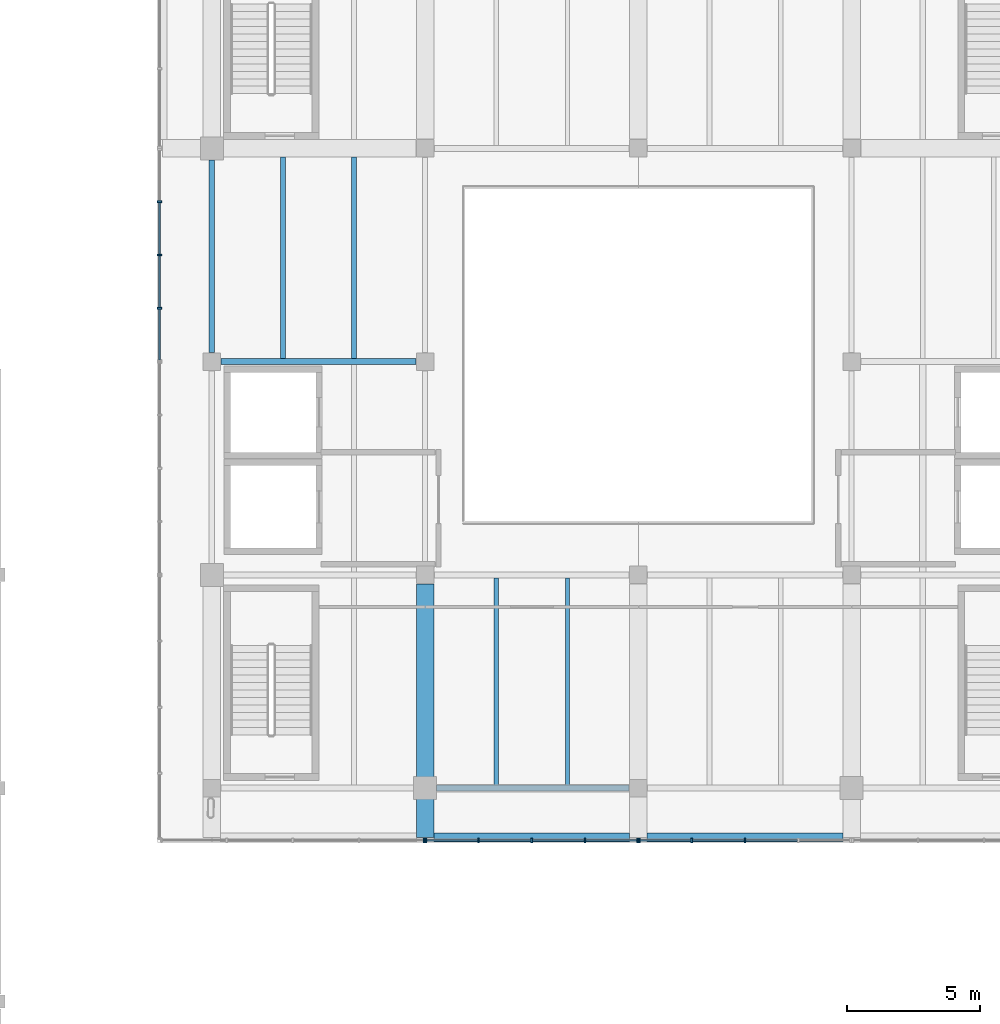
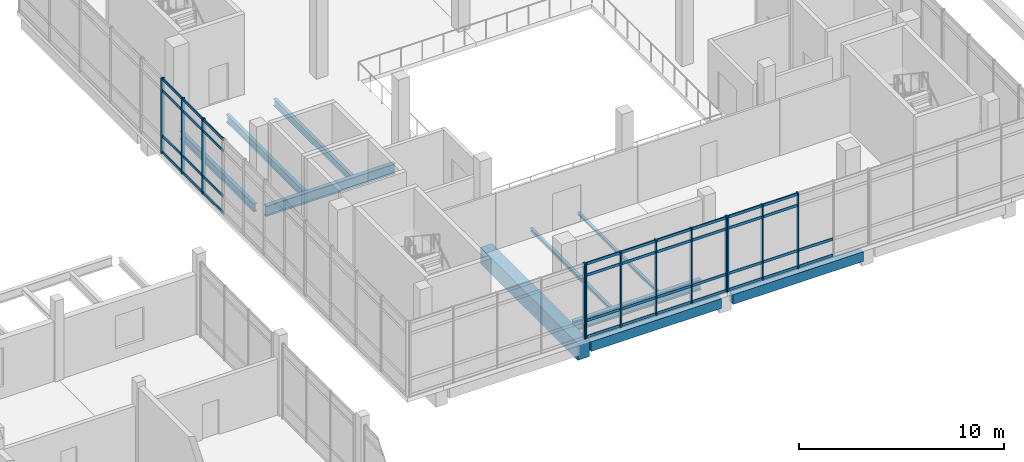
# One storey, part 6 of 28: 50 members, 10 beams, 4 elements without a shape of their own.
"""IFC4 building model written with IfcOpenShell, lengths in metres."""

from ifc_helpers import new_model, si_unit, direction, frame, origin, origin_2d, place, context, subcontext, project, spatial, rectangle, i_section, extrude, material, material_profile, profile_set, type_object, element, aggregate, save


model = new_model("IFC4")

# Units and contexts
model_context = context("Model", 3, precision=1e-05, world=origin(), true_north=direction((0.0, 1.0)))
body_context = subcontext(model_context, "Body", "Model", "MODEL_VIEW")
ifc_project = project(units=[si_unit("LENGTHUNIT", "METRE"), si_unit("AREAUNIT", "SQUARE_METRE"), si_unit("VOLUMEUNIT", "CUBIC_METRE"), si_unit("PLANEANGLEUNIT", "RADIAN"), si_unit("MASSUNIT", "GRAM", prefix="KILO")], contexts=[model_context])

# Site, building, storey
site_placement = place(None, origin())
site = spatial("IfcSite", under=ifc_project, at=site_placement, CompositionType="ELEMENT")
building_placement = place(site_placement, origin())
building = spatial("IfcBuilding", under=site, at=building_placement, Name="Pecanmere Concourse Central Library", CompositionType="ELEMENT")
storey_placement = place(building_placement, frame((0.0, 0.0, 20.10009765625)))
storey = spatial("IfcBuildingStorey", under=building, at=storey_placement, Name="L05", CompositionType="ELEMENT", Elevation=20.10009765625)

# Curtain wall, member
ifc_material_1 = material(Name="Anodized bronze aluminium alloy 6063-T6", Category="aluminium")
curtain_wall_type = type_object("IfcCurtainWallType", Name="CW_PLUMB_BANDED", PredefinedType="USERDEFINED", material=ifc_material_1)
curtain_wall_1_placement = place(storey_placement, origin())
curtain_wall_1 = element("IfcCurtainWall", 1, at=curtain_wall_1_placement, inside=storey, type_object=curtain_wall_type, Name="Unitised Curtain Wall CW-02 L05-058", ObjectType="UNITISED CURTAIN WALL", PredefinedType="USERDEFINED")
ifc_material_2 = material(Name="Anodized bronze aluminium alloy 6063-T6", Category="aluminium")
ifc_material_profile_1 = material_profile(ifc_material_2, rectangle(XDim=0.06494140625, YDim=0.179931640625, at=origin_2d()), Name="AL 65x180")
ifc_profile_set_1 = profile_set([ifc_material_profile_1], Name="Anodized bronze aluminium alloy 6063-T6")
member_type_1 = type_object("IfcMemberType", Name="CWM_180x65", PredefinedType="MULLION", material=ifc_profile_set_1)
member_1_placement = place(storey_placement, frame((79.96240234375, 88.03857421875, 0.0), z_axis=(0.0, 0.0, 1.0), x_axis=(1.0, 0.0, 0.0)))
member_1 = element("IfcMember", 2, at=member_1_placement, type_object=member_type_1, Name="CW-02 Mullion 5", PredefinedType="MULLION", context=body_context, shape_type="SweptSolid", body=[
    extrude(rectangle(XDim=0.06494140625, YDim=0.179931640625, at=origin_2d()), origin(), (0.0, 0.0, 1.0), 4.5),
])
aggregate(curtain_wall_1, [member_1])

# Curtain wall, members
curtain_wall_2_placement = place(storey_placement, origin())
curtain_wall_2 = element("IfcCurtainWall", 3, at=curtain_wall_2_placement, inside=storey, type_object=curtain_wall_type, Name="Unitised Curtain Wall CW-02 L05-059", ObjectType="UNITISED CURTAIN WALL", PredefinedType="USERDEFINED")
member_2_placement = place(storey_placement, frame((80.03759765625, 88.03857421875, 0.0), z_axis=(0.0, 0.0, 1.0), x_axis=(1.0, 0.0, 0.0)))
member_2 = element("IfcMember", 4, at=member_2_placement, type_object=member_type_1, Name="CW-02 Mullion 1", PredefinedType="MULLION", context=body_context, shape_type="SweptSolid", body=[
    extrude(rectangle(XDim=0.06494140625, YDim=0.179931640625, at=origin_2d()), origin(), (0.0, 0.0, 1.0), 4.5),
])
member_3_placement = place(storey_placement, frame((82.00244140625, 88.03857421875, 0.0), z_axis=(0.0, 0.0, 1.0), x_axis=(1.0, 0.0, 0.0)))
member_3 = element("IfcMember", 5, at=member_3_placement, type_object=member_type_1, Name="CW-02 Mullion 2", PredefinedType="MULLION", context=body_context, shape_type="SweptSolid", body=[
    extrude(rectangle(XDim=0.06494140625, YDim=0.179931640625, at=origin_2d()), origin(), (0.0, 0.0, 1.0), 4.5),
])
member_4_placement = place(storey_placement, frame((84.0, 88.03857421875, 0.0), z_axis=(0.0, 0.0, 1.0), x_axis=(1.0, 0.0, 0.0)))
member_4 = element("IfcMember", 6, at=member_4_placement, type_object=member_type_1, Name="CW-02 Mullion 3", PredefinedType="MULLION", context=body_context, shape_type="SweptSolid", body=[
    extrude(rectangle(XDim=0.06494140625, YDim=0.179931640625, at=origin_2d()), origin(), (0.0, 0.0, 1.0), 4.5),
])
member_5_placement = place(storey_placement, frame((85.99755859375, 88.03857421875, 0.0), z_axis=(0.0, 0.0, 1.0), x_axis=(1.0, 0.0, 0.0)))
member_5 = element("IfcMember", 7, at=member_5_placement, type_object=member_type_1, Name="CW-02 Mullion 4", PredefinedType="MULLION", context=body_context, shape_type="SweptSolid", body=[
    extrude(rectangle(XDim=0.06494140625, YDim=0.179931640625, at=origin_2d()), origin(), (0.0, 0.0, 1.0), 4.5),
])
member_6_placement = place(storey_placement, frame((87.96240234375, 88.03857421875, 0.0), z_axis=(0.0, 0.0, 1.0), x_axis=(1.0, 0.0, 0.0)))
member_6 = element("IfcMember", 8, at=member_6_placement, type_object=member_type_1, Name="CW-02 Mullion 5", PredefinedType="MULLION", context=body_context, shape_type="SweptSolid", body=[
    extrude(rectangle(XDim=0.06494140625, YDim=0.179931640625, at=origin_2d()), origin(), (0.0, 0.0, 1.0), 4.5),
])

curtain_wall_3_placement = place(storey_placement, origin())
curtain_wall_3 = element("IfcCurtainWall", 9, at=curtain_wall_3_placement, inside=storey, type_object=curtain_wall_type, Name="Unitised Curtain Wall CW-02 L05-060", ObjectType="UNITISED CURTAIN WALL", PredefinedType="USERDEFINED")
member_7_placement = place(storey_placement, frame((88.03759765625, 88.03857421875, 0.0), z_axis=(0.0, 0.0, 1.0), x_axis=(1.0, 0.0, 0.0)))
member_7 = element("IfcMember", 10, at=member_7_placement, type_object=member_type_1, Name="CW-02 Mullion 1", PredefinedType="MULLION", context=body_context, shape_type="SweptSolid", body=[
    extrude(rectangle(XDim=0.06494140625, YDim=0.179931640625, at=origin_2d()), origin(), (0.0, 0.0, 1.0), 4.5),
])
member_8_placement = place(storey_placement, frame((90.00244140625, 88.03857421875, 0.0), z_axis=(0.0, 0.0, 1.0), x_axis=(1.0, 0.0, 0.0)))
member_8 = element("IfcMember", 11, at=member_8_placement, type_object=member_type_1, Name="CW-02 Mullion 2", PredefinedType="MULLION", context=body_context, shape_type="SweptSolid", body=[
    extrude(rectangle(XDim=0.06494140625, YDim=0.179931640625, at=origin_2d()), origin(), (0.0, 0.0, 1.0), 4.5),
])
member_9_placement = place(storey_placement, frame((92.0, 88.03857421875, 0.0), z_axis=(0.0, 0.0, 1.0), x_axis=(1.0, 0.0, 0.0)))
member_9 = element("IfcMember", 12, at=member_9_placement, type_object=member_type_1, Name="CW-02 Mullion 3", PredefinedType="MULLION", context=body_context, shape_type="SweptSolid", body=[
    extrude(rectangle(XDim=0.06494140625, YDim=0.179931640625, at=origin_2d()), origin(), (0.0, 0.0, 1.0), 4.5),
])

curtain_wall_4_placement = place(storey_placement, origin())
curtain_wall_4 = element("IfcCurtainWall", 13, at=curtain_wall_4_placement, inside=storey, type_object=curtain_wall_type, Name="Unitised Curtain Wall CW-02 L05-067", ObjectType="UNITISED CURTAIN WALL", PredefinedType="USERDEFINED")
member_10_placement = place(storey_placement, frame((70.03857421875, 111.99755859375, 0.0), z_axis=(0.0, 0.0, 1.0), x_axis=(0.0, -1.0, 0.0)))
member_10 = element("IfcMember", 14, at=member_10_placement, type_object=member_type_1, Name="CW-02 Mullion 2", PredefinedType="MULLION", context=body_context, shape_type="SweptSolid", body=[
    extrude(rectangle(XDim=0.06494140625, YDim=0.179931640625, at=origin_2d()), origin(), (0.0, 0.0, 1.0), 4.5),
])
member_11_placement = place(storey_placement, frame((70.03857421875, 110.0, 0.0), z_axis=(0.0, 0.0, 1.0), x_axis=(0.0, -1.0, 0.0)))
member_11 = element("IfcMember", 15, at=member_11_placement, type_object=member_type_1, Name="CW-02 Mullion 3", PredefinedType="MULLION", context=body_context, shape_type="SweptSolid", body=[
    extrude(rectangle(XDim=0.06494140625, YDim=0.179931640625, at=origin_2d()), origin(), (0.0, 0.0, 1.0), 4.5),
])
member_12_placement = place(storey_placement, frame((70.03857421875, 108.00244140625, 0.0), z_axis=(0.0, 0.0, 1.0), x_axis=(0.0, -1.0, 0.0)))
member_12 = element("IfcMember", 16, at=member_12_placement, type_object=member_type_1, Name="CW-02 Mullion 4", PredefinedType="MULLION", context=body_context, shape_type="SweptSolid", body=[
    extrude(rectangle(XDim=0.06494140625, YDim=0.179931640625, at=origin_2d()), origin(), (0.0, 0.0, 1.0), 4.5),
])

# Member
ifc_material_3 = material(Name="Anodized bronze aluminium alloy 6063-T6", Category="aluminium")
ifc_material_profile_2 = material_profile(ifc_material_3, rectangle(XDim=0.06005859375, YDim=0.159912109375, at=origin_2d()), Name="AL 60x160")
ifc_profile_set_2 = profile_set([ifc_material_profile_2], Name="Anodized bronze aluminium alloy 6063-T6")
member_type_2 = type_object("IfcMemberType", Name="CWT_160x60", PredefinedType="USERDEFINED", material=ifc_profile_set_2)
member_13_placement = place(storey_placement, frame((80.070068359375, 88.03857421875, 0.079833984375), z_axis=(1.0, 0.0, 0.0), x_axis=(0.0, 1.0, 0.0)))
member_13 = element("IfcMember", 17, at=member_13_placement, type_object=member_type_2, Name="CW-02 Transom 1.1", ObjectType="TRANSOM", PredefinedType="USERDEFINED", context=body_context, shape_type="SweptSolid", body=[
    extrude(rectangle(XDim=0.06005859375, YDim=0.159912109375, at=origin_2d()), origin(), (0.0, 0.0, 1.0), 1.89990234375),
])

member_14_placement = place(storey_placement, frame((80.070068359375, 88.03857421875, 1.0498046875), z_axis=(1.0, 0.0, 0.0), x_axis=(0.0, 1.0, 0.0)))
member_14 = element("IfcMember", 18, at=member_14_placement, type_object=member_type_2, Name="CW-02 Transom 1.2", ObjectType="TRANSOM", PredefinedType="USERDEFINED", context=body_context, shape_type="SweptSolid", body=[
    extrude(rectangle(XDim=0.06005859375, YDim=0.159912109375, at=origin_2d()), origin(), (0.0, 0.0, 1.0), 1.89990234375),
])

member_15_placement = place(storey_placement, frame((80.070068359375, 88.03857421875, 3.75), z_axis=(1.0, 0.0, 0.0), x_axis=(0.0, 1.0, 0.0)))
member_15 = element("IfcMember", 19, at=member_15_placement, type_object=member_type_2, Name="CW-02 Transom 1.3", ObjectType="TRANSOM", PredefinedType="USERDEFINED", context=body_context, shape_type="SweptSolid", body=[
    extrude(rectangle(XDim=0.06005859375, YDim=0.159912109375, at=origin_2d()), origin(), (0.0, 0.0, 1.0), 1.89990234375),
])

member_16_placement = place(storey_placement, frame((80.070068359375, 88.03857421875, 4.419921875), z_axis=(1.0, 0.0, 0.0), x_axis=(0.0, 1.0, 0.0)))
member_16 = element("IfcMember", 20, at=member_16_placement, type_object=member_type_2, Name="CW-02 Transom 1.4", ObjectType="TRANSOM", PredefinedType="USERDEFINED", context=body_context, shape_type="SweptSolid", body=[
    extrude(rectangle(XDim=0.06005859375, YDim=0.159912109375, at=origin_2d()), origin(), (0.0, 0.0, 1.0), 1.89990234375),
])

member_17_placement = place(storey_placement, frame((82.034912109375, 88.03857421875, 0.079833984375), z_axis=(1.0, 0.0, 0.0), x_axis=(0.0, 1.0, 0.0)))
member_17 = element("IfcMember", 21, at=member_17_placement, type_object=member_type_2, Name="CW-02 Transom 2.1", ObjectType="TRANSOM", PredefinedType="USERDEFINED", context=body_context, shape_type="SweptSolid", body=[
    extrude(rectangle(XDim=0.06005859375, YDim=0.159912109375, at=origin_2d()), origin(), (0.0, 0.0, 1.0), 1.9326171875),
])

member_18_placement = place(storey_placement, frame((82.034912109375, 88.03857421875, 1.0498046875), z_axis=(1.0, 0.0, 0.0), x_axis=(0.0, 1.0, 0.0)))
member_18 = element("IfcMember", 22, at=member_18_placement, type_object=member_type_2, Name="CW-02 Transom 2.2", ObjectType="TRANSOM", PredefinedType="USERDEFINED", context=body_context, shape_type="SweptSolid", body=[
    extrude(rectangle(XDim=0.06005859375, YDim=0.159912109375, at=origin_2d()), origin(), (0.0, 0.0, 1.0), 1.9326171875),
])

member_19_placement = place(storey_placement, frame((82.034912109375, 88.03857421875, 3.75), z_axis=(1.0, 0.0, 0.0), x_axis=(0.0, 1.0, 0.0)))
member_19 = element("IfcMember", 23, at=member_19_placement, type_object=member_type_2, Name="CW-02 Transom 2.3", ObjectType="TRANSOM", PredefinedType="USERDEFINED", context=body_context, shape_type="SweptSolid", body=[
    extrude(rectangle(XDim=0.06005859375, YDim=0.159912109375, at=origin_2d()), origin(), (0.0, 0.0, 1.0), 1.9326171875),
])

member_20_placement = place(storey_placement, frame((82.034912109375, 88.03857421875, 4.419921875), z_axis=(1.0, 0.0, 0.0), x_axis=(0.0, 1.0, 0.0)))
member_20 = element("IfcMember", 24, at=member_20_placement, type_object=member_type_2, Name="CW-02 Transom 2.4", ObjectType="TRANSOM", PredefinedType="USERDEFINED", context=body_context, shape_type="SweptSolid", body=[
    extrude(rectangle(XDim=0.06005859375, YDim=0.159912109375, at=origin_2d()), origin(), (0.0, 0.0, 1.0), 1.9326171875),
])

member_21_placement = place(storey_placement, frame((84.032470703125, 88.03857421875, 0.079833984375), z_axis=(1.0, 0.0, 0.0), x_axis=(0.0, 1.0, 0.0)))
member_21 = element("IfcMember", 25, at=member_21_placement, type_object=member_type_2, Name="CW-02 Transom 3.1", ObjectType="TRANSOM", PredefinedType="USERDEFINED", context=body_context, shape_type="SweptSolid", body=[
    extrude(rectangle(XDim=0.06005859375, YDim=0.159912109375, at=origin_2d()), origin(), (0.0, 0.0, 1.0), 1.9326171875),
])

member_22_placement = place(storey_placement, frame((84.032470703125, 88.03857421875, 1.0498046875), z_axis=(1.0, 0.0, 0.0), x_axis=(0.0, 1.0, 0.0)))
member_22 = element("IfcMember", 26, at=member_22_placement, type_object=member_type_2, Name="CW-02 Transom 3.2", ObjectType="TRANSOM", PredefinedType="USERDEFINED", context=body_context, shape_type="SweptSolid", body=[
    extrude(rectangle(XDim=0.06005859375, YDim=0.159912109375, at=origin_2d()), origin(), (0.0, 0.0, 1.0), 1.9326171875),
])

member_23_placement = place(storey_placement, frame((84.032470703125, 88.03857421875, 3.75), z_axis=(1.0, 0.0, 0.0), x_axis=(0.0, 1.0, 0.0)))
member_23 = element("IfcMember", 27, at=member_23_placement, type_object=member_type_2, Name="CW-02 Transom 3.3", ObjectType="TRANSOM", PredefinedType="USERDEFINED", context=body_context, shape_type="SweptSolid", body=[
    extrude(rectangle(XDim=0.06005859375, YDim=0.159912109375, at=origin_2d()), origin(), (0.0, 0.0, 1.0), 1.9326171875),
])

member_24_placement = place(storey_placement, frame((84.032470703125, 88.03857421875, 4.419921875), z_axis=(1.0, 0.0, 0.0), x_axis=(0.0, 1.0, 0.0)))
member_24 = element("IfcMember", 28, at=member_24_placement, type_object=member_type_2, Name="CW-02 Transom 3.4", ObjectType="TRANSOM", PredefinedType="USERDEFINED", context=body_context, shape_type="SweptSolid", body=[
    extrude(rectangle(XDim=0.06005859375, YDim=0.159912109375, at=origin_2d()), origin(), (0.0, 0.0, 1.0), 1.9326171875),
])

member_25_placement = place(storey_placement, frame((86.030029296875, 88.03857421875, 0.079833984375), z_axis=(1.0, 0.0, 0.0), x_axis=(0.0, 1.0, 0.0)))
member_25 = element("IfcMember", 29, at=member_25_placement, type_object=member_type_2, Name="CW-02 Transom 4.1", ObjectType="TRANSOM", PredefinedType="USERDEFINED", context=body_context, shape_type="SweptSolid", body=[
    extrude(rectangle(XDim=0.06005859375, YDim=0.159912109375, at=origin_2d()), origin(), (0.0, 0.0, 1.0), 1.89990234375),
])

member_26_placement = place(storey_placement, frame((86.030029296875, 88.03857421875, 1.0498046875), z_axis=(1.0, 0.0, 0.0), x_axis=(0.0, 1.0, 0.0)))
member_26 = element("IfcMember", 30, at=member_26_placement, type_object=member_type_2, Name="CW-02 Transom 4.2", ObjectType="TRANSOM", PredefinedType="USERDEFINED", context=body_context, shape_type="SweptSolid", body=[
    extrude(rectangle(XDim=0.06005859375, YDim=0.159912109375, at=origin_2d()), origin(), (0.0, 0.0, 1.0), 1.89990234375),
])

member_27_placement = place(storey_placement, frame((86.030029296875, 88.03857421875, 3.75), z_axis=(1.0, 0.0, 0.0), x_axis=(0.0, 1.0, 0.0)))
member_27 = element("IfcMember", 31, at=member_27_placement, type_object=member_type_2, Name="CW-02 Transom 4.3", ObjectType="TRANSOM", PredefinedType="USERDEFINED", context=body_context, shape_type="SweptSolid", body=[
    extrude(rectangle(XDim=0.06005859375, YDim=0.159912109375, at=origin_2d()), origin(), (0.0, 0.0, 1.0), 1.89990234375),
])

member_28_placement = place(storey_placement, frame((86.030029296875, 88.03857421875, 4.419921875), z_axis=(1.0, 0.0, 0.0), x_axis=(0.0, 1.0, 0.0)))
member_28 = element("IfcMember", 32, at=member_28_placement, type_object=member_type_2, Name="CW-02 Transom 4.4", ObjectType="TRANSOM", PredefinedType="USERDEFINED", context=body_context, shape_type="SweptSolid", body=[
    extrude(rectangle(XDim=0.06005859375, YDim=0.159912109375, at=origin_2d()), origin(), (0.0, 0.0, 1.0), 1.89990234375),
])

aggregate(curtain_wall_2, [member_2, member_3, member_4, member_5, member_6, member_13, member_14, member_15, member_16, member_17, member_18, member_19, member_20, member_21, member_22, member_23, member_24, member_25, member_26, member_27, member_28])

member_29_placement = place(storey_placement, frame((88.070068359375, 88.03857421875, 0.079833984375), z_axis=(1.0, 0.0, 0.0), x_axis=(0.0, 1.0, 0.0)))
member_29 = element("IfcMember", 33, at=member_29_placement, type_object=member_type_2, Name="CW-02 Transom 1.1", ObjectType="TRANSOM", PredefinedType="USERDEFINED", context=body_context, shape_type="SweptSolid", body=[
    extrude(rectangle(XDim=0.06005859375, YDim=0.159912109375, at=origin_2d()), origin(), (0.0, 0.0, 1.0), 1.89990234375),
])

member_30_placement = place(storey_placement, frame((88.070068359375, 88.03857421875, 1.0498046875), z_axis=(1.0, 0.0, 0.0), x_axis=(0.0, 1.0, 0.0)))
member_30 = element("IfcMember", 34, at=member_30_placement, type_object=member_type_2, Name="CW-02 Transom 1.2", ObjectType="TRANSOM", PredefinedType="USERDEFINED", context=body_context, shape_type="SweptSolid", body=[
    extrude(rectangle(XDim=0.06005859375, YDim=0.159912109375, at=origin_2d()), origin(), (0.0, 0.0, 1.0), 1.89990234375),
])

member_31_placement = place(storey_placement, frame((88.070068359375, 88.03857421875, 3.75), z_axis=(1.0, 0.0, 0.0), x_axis=(0.0, 1.0, 0.0)))
member_31 = element("IfcMember", 35, at=member_31_placement, type_object=member_type_2, Name="CW-02 Transom 1.3", ObjectType="TRANSOM", PredefinedType="USERDEFINED", context=body_context, shape_type="SweptSolid", body=[
    extrude(rectangle(XDim=0.06005859375, YDim=0.159912109375, at=origin_2d()), origin(), (0.0, 0.0, 1.0), 1.89990234375),
])

member_32_placement = place(storey_placement, frame((88.070068359375, 88.03857421875, 4.419921875), z_axis=(1.0, 0.0, 0.0), x_axis=(0.0, 1.0, 0.0)))
member_32 = element("IfcMember", 36, at=member_32_placement, type_object=member_type_2, Name="CW-02 Transom 1.4", ObjectType="TRANSOM", PredefinedType="USERDEFINED", context=body_context, shape_type="SweptSolid", body=[
    extrude(rectangle(XDim=0.06005859375, YDim=0.159912109375, at=origin_2d()), origin(), (0.0, 0.0, 1.0), 1.89990234375),
])

member_33_placement = place(storey_placement, frame((90.034912109375, 88.03857421875, 0.079833984375), z_axis=(1.0, 0.0, 0.0), x_axis=(0.0, 1.0, 0.0)))
member_33 = element("IfcMember", 37, at=member_33_placement, type_object=member_type_2, Name="CW-02 Transom 2.1", ObjectType="TRANSOM", PredefinedType="USERDEFINED", context=body_context, shape_type="SweptSolid", body=[
    extrude(rectangle(XDim=0.06005859375, YDim=0.159912109375, at=origin_2d()), origin(), (0.0, 0.0, 1.0), 1.9326171875),
])

member_34_placement = place(storey_placement, frame((90.034912109375, 88.03857421875, 1.0498046875), z_axis=(1.0, 0.0, 0.0), x_axis=(0.0, 1.0, 0.0)))
member_34 = element("IfcMember", 38, at=member_34_placement, type_object=member_type_2, Name="CW-02 Transom 2.2", ObjectType="TRANSOM", PredefinedType="USERDEFINED", context=body_context, shape_type="SweptSolid", body=[
    extrude(rectangle(XDim=0.06005859375, YDim=0.159912109375, at=origin_2d()), origin(), (0.0, 0.0, 1.0), 1.9326171875),
])

member_35_placement = place(storey_placement, frame((90.034912109375, 88.03857421875, 3.75), z_axis=(1.0, 0.0, 0.0), x_axis=(0.0, 1.0, 0.0)))
member_35 = element("IfcMember", 39, at=member_35_placement, type_object=member_type_2, Name="CW-02 Transom 2.3", ObjectType="TRANSOM", PredefinedType="USERDEFINED", context=body_context, shape_type="SweptSolid", body=[
    extrude(rectangle(XDim=0.06005859375, YDim=0.159912109375, at=origin_2d()), origin(), (0.0, 0.0, 1.0), 1.9326171875),
])

member_36_placement = place(storey_placement, frame((90.034912109375, 88.03857421875, 4.419921875), z_axis=(1.0, 0.0, 0.0), x_axis=(0.0, 1.0, 0.0)))
member_36 = element("IfcMember", 40, at=member_36_placement, type_object=member_type_2, Name="CW-02 Transom 2.4", ObjectType="TRANSOM", PredefinedType="USERDEFINED", context=body_context, shape_type="SweptSolid", body=[
    extrude(rectangle(XDim=0.06005859375, YDim=0.159912109375, at=origin_2d()), origin(), (0.0, 0.0, 1.0), 1.9326171875),
])

member_37_placement = place(storey_placement, frame((92.032470703125, 88.03857421875, 0.079833984375), z_axis=(1.0, 0.0, 0.0), x_axis=(0.0, 1.0, 0.0)))
member_37 = element("IfcMember", 41, at=member_37_placement, type_object=member_type_2, Name="CW-02 Transom 3.1", ObjectType="TRANSOM", PredefinedType="USERDEFINED", context=body_context, shape_type="SweptSolid", body=[
    extrude(rectangle(XDim=0.06005859375, YDim=0.159912109375, at=origin_2d()), origin(), (0.0, 0.0, 1.0), 1.9326171875),
])

member_38_placement = place(storey_placement, frame((92.032470703125, 88.03857421875, 1.0498046875), z_axis=(1.0, 0.0, 0.0), x_axis=(0.0, 1.0, 0.0)))
member_38 = element("IfcMember", 42, at=member_38_placement, type_object=member_type_2, Name="CW-02 Transom 3.2", ObjectType="TRANSOM", PredefinedType="USERDEFINED", context=body_context, shape_type="SweptSolid", body=[
    extrude(rectangle(XDim=0.06005859375, YDim=0.159912109375, at=origin_2d()), origin(), (0.0, 0.0, 1.0), 1.9326171875),
])

aggregate(curtain_wall_3, [member_7, member_8, member_9, member_29, member_30, member_31, member_32, member_33, member_34, member_35, member_36, member_37, member_38])

member_39_placement = place(storey_placement, frame((70.03857421875, 111.965087890625, 0.079833984375), z_axis=(0.0, -1.0, 0.0), x_axis=(1.0, 0.0, 0.0)))
member_39 = element("IfcMember", 43, at=member_39_placement, type_object=member_type_2, Name="CW-02 Transom 2.1", ObjectType="TRANSOM", PredefinedType="USERDEFINED", context=body_context, shape_type="SweptSolid", body=[
    extrude(rectangle(XDim=0.06005859375, YDim=0.159912109375, at=origin_2d()), origin(), (0.0, 0.0, 1.0), 1.9326171875),
])

member_40_placement = place(storey_placement, frame((70.03857421875, 111.965087890625, 1.0498046875), z_axis=(0.0, -1.0, 0.0), x_axis=(1.0, 0.0, 0.0)))
member_40 = element("IfcMember", 44, at=member_40_placement, type_object=member_type_2, Name="CW-02 Transom 2.2", ObjectType="TRANSOM", PredefinedType="USERDEFINED", context=body_context, shape_type="SweptSolid", body=[
    extrude(rectangle(XDim=0.06005859375, YDim=0.159912109375, at=origin_2d()), origin(), (0.0, 0.0, 1.0), 1.9326171875),
])

member_41_placement = place(storey_placement, frame((70.03857421875, 111.965087890625, 3.75), z_axis=(0.0, -1.0, 0.0), x_axis=(1.0, 0.0, 0.0)))
member_41 = element("IfcMember", 45, at=member_41_placement, type_object=member_type_2, Name="CW-02 Transom 2.3", ObjectType="TRANSOM", PredefinedType="USERDEFINED", context=body_context, shape_type="SweptSolid", body=[
    extrude(rectangle(XDim=0.06005859375, YDim=0.159912109375, at=origin_2d()), origin(), (0.0, 0.0, 1.0), 1.9326171875),
])

member_42_placement = place(storey_placement, frame((70.03857421875, 111.965087890625, 4.419921875), z_axis=(0.0, -1.0, 0.0), x_axis=(1.0, 0.0, 0.0)))
member_42 = element("IfcMember", 46, at=member_42_placement, type_object=member_type_2, Name="CW-02 Transom 2.4", ObjectType="TRANSOM", PredefinedType="USERDEFINED", context=body_context, shape_type="SweptSolid", body=[
    extrude(rectangle(XDim=0.06005859375, YDim=0.159912109375, at=origin_2d()), origin(), (0.0, 0.0, 1.0), 1.9326171875),
])

member_43_placement = place(storey_placement, frame((70.03857421875, 109.967529296875, 0.079833984375), z_axis=(0.0, -1.0, 0.0), x_axis=(1.0, 0.0, 0.0)))
member_43 = element("IfcMember", 47, at=member_43_placement, type_object=member_type_2, Name="CW-02 Transom 3.1", ObjectType="TRANSOM", PredefinedType="USERDEFINED", context=body_context, shape_type="SweptSolid", body=[
    extrude(rectangle(XDim=0.06005859375, YDim=0.159912109375, at=origin_2d()), origin(), (0.0, 0.0, 1.0), 1.9326171875),
])

member_44_placement = place(storey_placement, frame((70.03857421875, 109.967529296875, 1.0498046875), z_axis=(0.0, -1.0, 0.0), x_axis=(1.0, 0.0, 0.0)))
member_44 = element("IfcMember", 48, at=member_44_placement, type_object=member_type_2, Name="CW-02 Transom 3.2", ObjectType="TRANSOM", PredefinedType="USERDEFINED", context=body_context, shape_type="SweptSolid", body=[
    extrude(rectangle(XDim=0.06005859375, YDim=0.159912109375, at=origin_2d()), origin(), (0.0, 0.0, 1.0), 1.9326171875),
])

member_45_placement = place(storey_placement, frame((70.03857421875, 109.967529296875, 3.75), z_axis=(0.0, -1.0, 0.0), x_axis=(1.0, 0.0, 0.0)))
member_45 = element("IfcMember", 49, at=member_45_placement, type_object=member_type_2, Name="CW-02 Transom 3.3", ObjectType="TRANSOM", PredefinedType="USERDEFINED", context=body_context, shape_type="SweptSolid", body=[
    extrude(rectangle(XDim=0.06005859375, YDim=0.159912109375, at=origin_2d()), origin(), (0.0, 0.0, 1.0), 1.9326171875),
])

member_46_placement = place(storey_placement, frame((70.03857421875, 109.967529296875, 4.419921875), z_axis=(0.0, -1.0, 0.0), x_axis=(1.0, 0.0, 0.0)))
member_46 = element("IfcMember", 50, at=member_46_placement, type_object=member_type_2, Name="CW-02 Transom 3.4", ObjectType="TRANSOM", PredefinedType="USERDEFINED", context=body_context, shape_type="SweptSolid", body=[
    extrude(rectangle(XDim=0.06005859375, YDim=0.159912109375, at=origin_2d()), origin(), (0.0, 0.0, 1.0), 1.9326171875),
])

member_47_placement = place(storey_placement, frame((70.03857421875, 107.969970703125, 0.079833984375), z_axis=(0.0, -1.0, 0.0), x_axis=(1.0, 0.0, 0.0)))
member_47 = element("IfcMember", 51, at=member_47_placement, type_object=member_type_2, Name="CW-02 Transom 4.1", ObjectType="TRANSOM", PredefinedType="USERDEFINED", context=body_context, shape_type="SweptSolid", body=[
    extrude(rectangle(XDim=0.06005859375, YDim=0.159912109375, at=origin_2d()), origin(), (0.0, 0.0, 1.0), 1.89990234375),
])

member_48_placement = place(storey_placement, frame((70.03857421875, 107.969970703125, 1.0498046875), z_axis=(0.0, -1.0, 0.0), x_axis=(1.0, 0.0, 0.0)))
member_48 = element("IfcMember", 52, at=member_48_placement, type_object=member_type_2, Name="CW-02 Transom 4.2", ObjectType="TRANSOM", PredefinedType="USERDEFINED", context=body_context, shape_type="SweptSolid", body=[
    extrude(rectangle(XDim=0.06005859375, YDim=0.159912109375, at=origin_2d()), origin(), (0.0, 0.0, 1.0), 1.89990234375),
])

member_49_placement = place(storey_placement, frame((70.03857421875, 107.969970703125, 3.75), z_axis=(0.0, -1.0, 0.0), x_axis=(1.0, 0.0, 0.0)))
member_49 = element("IfcMember", 53, at=member_49_placement, type_object=member_type_2, Name="CW-02 Transom 4.3", ObjectType="TRANSOM", PredefinedType="USERDEFINED", context=body_context, shape_type="SweptSolid", body=[
    extrude(rectangle(XDim=0.06005859375, YDim=0.159912109375, at=origin_2d()), origin(), (0.0, 0.0, 1.0), 1.89990234375),
])

member_50_placement = place(storey_placement, frame((70.03857421875, 107.969970703125, 4.419921875), z_axis=(0.0, -1.0, 0.0), x_axis=(1.0, 0.0, 0.0)))
member_50 = element("IfcMember", 54, at=member_50_placement, type_object=member_type_2, Name="CW-02 Transom 4.4", ObjectType="TRANSOM", PredefinedType="USERDEFINED", context=body_context, shape_type="SweptSolid", body=[
    extrude(rectangle(XDim=0.06005859375, YDim=0.159912109375, at=origin_2d()), origin(), (0.0, 0.0, 1.0), 1.89990234375),
])

aggregate(curtain_wall_4, [member_10, member_11, member_12, member_39, member_40, member_41, member_42, member_43, member_44, member_45, member_46, member_47, member_48, member_49, member_50])

# Beams
ifc_material_4 = material(Name="Concrete C40/50", Category="concrete")
ifc_material_profile_3 = material_profile(ifc_material_4, rectangle(XDim=0.659912109375, YDim=0.97998046875, at=origin_2d()), Name="RC 660x980")
ifc_profile_set_3 = profile_set([ifc_material_profile_3], Name="Concrete C40/50")
beam_type_1 = type_object("IfcBeamType", Name="GRD_660x980", PredefinedType="USERDEFINED", material=ifc_profile_set_3)
beam_1_placement = place(storey_placement, frame((80.0, 88.1484375, -0.77001953125), z_axis=(0.0, 1.0, 0.0), x_axis=(-1.0, 0.0, 0.0)))
element("IfcBeam", 55, at=beam_1_placement, inside=storey, type_object=beam_type_1, Name="Primary Girder Y L05-2509", ObjectType="GIRDER", PredefinedType="USERDEFINED", context=body_context, shape_type="SweptSolid", body=[
    extrude(rectangle(XDim=0.659912109375, YDim=0.97998046875, at=origin_2d()), origin(), (0.0, 0.0, 1.0), 9.50146484375),
])
ifc_material_5 = material(Name="Structural steel ASTM A992 Grade 50", Category="steel")
ifc_material_profile_4 = material_profile(ifc_material_5, i_section(OverallWidth=0.152099609375, OverallDepth=0.152099609375, WebThickness=0.005859375, FlangeThickness=0.006591796875, at=origin_2d()), Name="W150x22.5")
ifc_profile_set_4 = profile_set([ifc_material_profile_4], Name="Structural steel ASTM A992 Grade 50")
beam_type_2 = type_object("IfcBeamType", Name="SBM_W150x22", PredefinedType="LINTEL", material=ifc_profile_set_4)
beam_2_placement = place(storey_placement, frame((85.333251953125, 90.114990234375, -0.356201171875), z_axis=(0.0, 1.0, 0.0), x_axis=(-1.0, 0.0, 0.0)))
element("IfcBeam", 56, at=beam_2_placement, inside=storey, type_object=beam_type_2, Name="Secondary Floor Joist L05-2586", PredefinedType="LINTEL", context=body_context, shape_type="SweptSolid", body=[
    extrude(i_section(OverallWidth=0.152099609375, OverallDepth=0.152099609375, WebThickness=0.005859375, FlangeThickness=0.006591796875, at=origin_2d()), origin(), (0.0, 0.0, 1.0), 7.77001953125),
])
ifc_material_6 = material(Name="Structural steel ASTM A992 Grade 50", Category="steel")
ifc_material_profile_5 = material_profile(ifc_material_6, i_section(OverallWidth=0.1650390625, OverallDepth=0.200927734375, WebThickness=0.006103515625, FlangeThickness=0.01025390625, at=origin_2d()), Name="W200x35.9")
ifc_profile_set_5 = profile_set([ifc_material_profile_5], Name="Structural steel ASTM A992 Grade 50")
beam_type_3 = type_object("IfcBeamType", Name="SBM_W200x36", PredefinedType="LINTEL", material=ifc_profile_set_5)
beam_3_placement = place(storey_placement, frame((82.666748046875, 90.114990234375, -0.380615234375), z_axis=(0.0, 1.0, 0.0), x_axis=(-1.0, 0.0, 0.0)))
element("IfcBeam", 57, at=beam_3_placement, inside=storey, type_object=beam_type_3, Name="Secondary Floor Joist L05-2585", PredefinedType="LINTEL", context=body_context, shape_type="SweptSolid", body=[
    extrude(i_section(OverallWidth=0.1650390625, OverallDepth=0.200927734375, WebThickness=0.006103515625, FlangeThickness=0.01025390625, at=origin_2d()), origin(), (0.0, 0.0, 1.0), 7.77001953125),
])
ifc_material_7 = material(Name="Structural steel ASTM A992 Grade 50", Category="steel")
ifc_material_profile_6 = material_profile(ifc_material_7, i_section(OverallWidth=0.180908203125, OverallDepth=0.4169921875, WebThickness=0.010986328125, FlangeThickness=0.018310546875, at=origin_2d()), Name="W410x85")
ifc_profile_set_6 = profile_set([ifc_material_profile_6], Name="Structural steel ASTM A992 Grade 50")
beam_type_4 = type_object("IfcBeamType", Name="SBM_W410x85", PredefinedType="BEAM", material=ifc_profile_set_6)
beam_4_placement = place(storey_placement, frame((77.333251953125, 106.114990234375, -0.488525390625), z_axis=(0.0, 1.0, 0.0), x_axis=(-1.0, 0.0, 0.0)))
element("IfcBeam", 58, at=beam_4_placement, inside=storey, type_object=beam_type_4, Name="Secondary Floor Joist L05-2583", PredefinedType="BEAM", context=body_context, shape_type="SweptSolid", body=[
    extrude(i_section(OverallWidth=0.180908203125, OverallDepth=0.4169921875, WebThickness=0.010986328125, FlangeThickness=0.018310546875, at=origin_2d()), origin(), (0.0, 0.0, 1.0), 7.554931640625),
])
ifc_material_8 = material(Name="Structural steel ASTM A992 Grade 50", Category="steel")
ifc_material_profile_7 = material_profile(ifc_material_8, i_section(OverallWidth=0.194091796875, OverallDepth=0.468994140625, WebThickness=0.0126953125, FlangeThickness=0.0205078125, at=origin_2d()), Name="W460x106")
ifc_profile_set_7 = profile_set([ifc_material_profile_7], Name="Structural steel ASTM A992 Grade 50")
beam_type_5 = type_object("IfcBeamType", Name="SBM_W460x106", PredefinedType="USERDEFINED", material=ifc_profile_set_7)
beam_5_placement = place(storey_placement, frame((72.0, 106.35009765625, -0.5146484375), z_axis=(0.0, 1.0, 0.0), x_axis=(-1.0, 0.0, 0.0)))
element("IfcBeam", 59, at=beam_5_placement, inside=storey, type_object=beam_type_5, Name="Primary Girder Y L05-2507", ObjectType="GIRDER", PredefinedType="USERDEFINED", context=body_context, shape_type="SweptSolid", body=[
    extrude(i_section(OverallWidth=0.194091796875, OverallDepth=0.468994140625, WebThickness=0.0126953125, FlangeThickness=0.0205078125, at=origin_2d()), origin(), (0.0, 0.0, 1.0), 7.219970703125),
])
ifc_material_9 = material(Name="Structural steel ASTM A992 Grade 50", Category="steel")
ifc_material_profile_8 = material_profile(ifc_material_9, i_section(OverallWidth=0.18994140625, OverallDepth=0.45703125, WebThickness=0.009033203125, FlangeThickness=0.014404296875, at=origin_2d()), Name="W460x74")
ifc_profile_set_8 = profile_set([ifc_material_profile_8], Name="Structural steel ASTM A992 Grade 50")
beam_type_6 = type_object("IfcBeamType", Name="SBM_W460x74", PredefinedType="BEAM", material=ifc_profile_set_8)
beam_6_placement = place(storey_placement, frame((74.666748046875, 106.114990234375, -0.508544921875), z_axis=(0.0, 1.0, 0.0), x_axis=(-1.0, 0.0, 0.0)))
element("IfcBeam", 60, at=beam_6_placement, inside=storey, type_object=beam_type_6, Name="Secondary Floor Joist L05-2582", PredefinedType="BEAM", context=body_context, shape_type="SweptSolid", body=[
    extrude(i_section(OverallWidth=0.18994140625, OverallDepth=0.45703125, WebThickness=0.009033203125, FlangeThickness=0.014404296875, at=origin_2d()), origin(), (0.0, 0.0, 1.0), 7.554931640625),
])
ifc_material_10 = material(Name="Structural steel ASTM A992 Grade 50", Category="steel")
ifc_material_profile_9 = material_profile(ifc_material_10, i_section(OverallWidth=0.22998046875, OverallDepth=0.616943359375, WebThickness=0.01318359375, FlangeThickness=0.022216796875, at=origin_2d()), Name="W610x140")
ifc_profile_set_9 = profile_set([ifc_material_profile_9], Name="Structural steel ASTM A992 Grade 50")
beam_type_7 = type_object("IfcBeamType", Name="SBM_W610x140", PredefinedType="USERDEFINED", material=ifc_profile_set_9)
beam_7_placement = place(storey_placement, frame((80.429931640625, 90.0, -0.588623046875), z_axis=(1.0, 0.0, 0.0), x_axis=(0.0, 1.0, 0.0)))
element("IfcBeam", 61, at=beam_7_placement, inside=storey, type_object=beam_type_7, Name="Primary Girder X L05-2457", ObjectType="GIRDER", PredefinedType="USERDEFINED", context=body_context, shape_type="SweptSolid", body=[
    extrude(i_section(OverallWidth=0.22998046875, OverallDepth=0.616943359375, WebThickness=0.01318359375, FlangeThickness=0.022216796875, at=origin_2d()), origin(), (0.0, 0.0, 1.0), 7.219970703125),
])
beam_8_placement = place(storey_placement, frame((72.35009765625, 106.0, -0.588623046875), z_axis=(1.0, 0.0, 0.0), x_axis=(0.0, 1.0, 0.0)))
element("IfcBeam", 62, at=beam_8_placement, inside=storey, type_object=beam_type_7, Name="Primary Girder X L05-2472", ObjectType="GIRDER", PredefinedType="USERDEFINED", context=body_context, shape_type="SweptSolid", body=[
    extrude(i_section(OverallWidth=0.22998046875, OverallDepth=0.616943359375, WebThickness=0.01318359375, FlangeThickness=0.022216796875, at=origin_2d()), origin(), (0.0, 0.0, 1.0), 7.2998046875),
])
ifc_material_11 = material(Name="Concrete C40/50", Category="concrete")
ifc_material_profile_10 = material_profile(ifc_material_11, rectangle(XDim=0.340087890625, YDim=0.580078125, at=origin_2d()), Name="RC 340x580")
ifc_profile_set_10 = profile_set([ifc_material_profile_10], Name="Concrete C40/50")
beam_type_8 = type_object("IfcBeamType", Name="SPB_340x580", PredefinedType="BEAM", material=ifc_profile_set_10)
for number, where, z_axis, x_axis, name in (
    (63, (80.330078125, 88.1484375, -0.570068359375), (1.0, 0.0, 0.0), (0.0, 1.0, 0.0), "Leaning Facade Edge Beam L05-2545"),
    (64, (88.330078125, 88.1484375, -0.570068359375), (1.0, 0.0, 0.0), (0.0, 1.0, 0.0), "Leaning Facade Edge Beam L05-2546"),
):
    element("IfcBeam", number, at=place(storey_placement, frame(where, z_axis=z_axis, x_axis=x_axis)), inside=storey, type_object=beam_type_8, Name=name, PredefinedType="BEAM", context=body_context, shape_type="SweptSolid", body=[
        extrude(rectangle(XDim=0.340087890625, YDim=0.580078125, at=origin_2d()), origin(), (0.0, 0.0, 1.0), 7.33984375),
    ])

save(model, "model.ifc")
